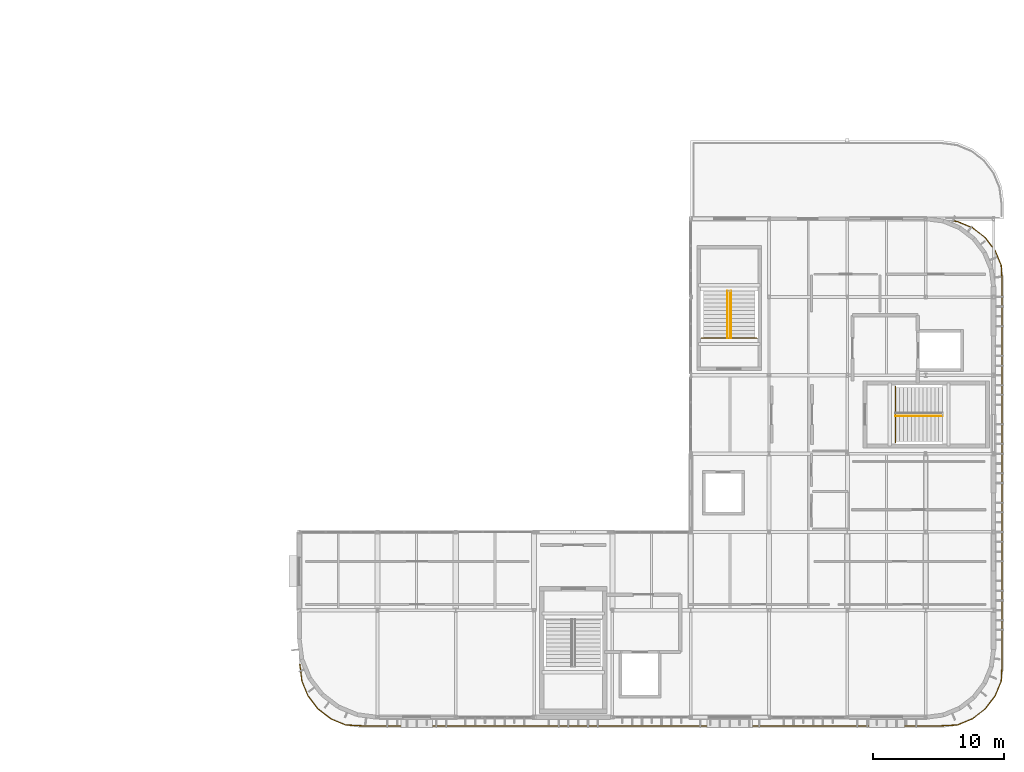
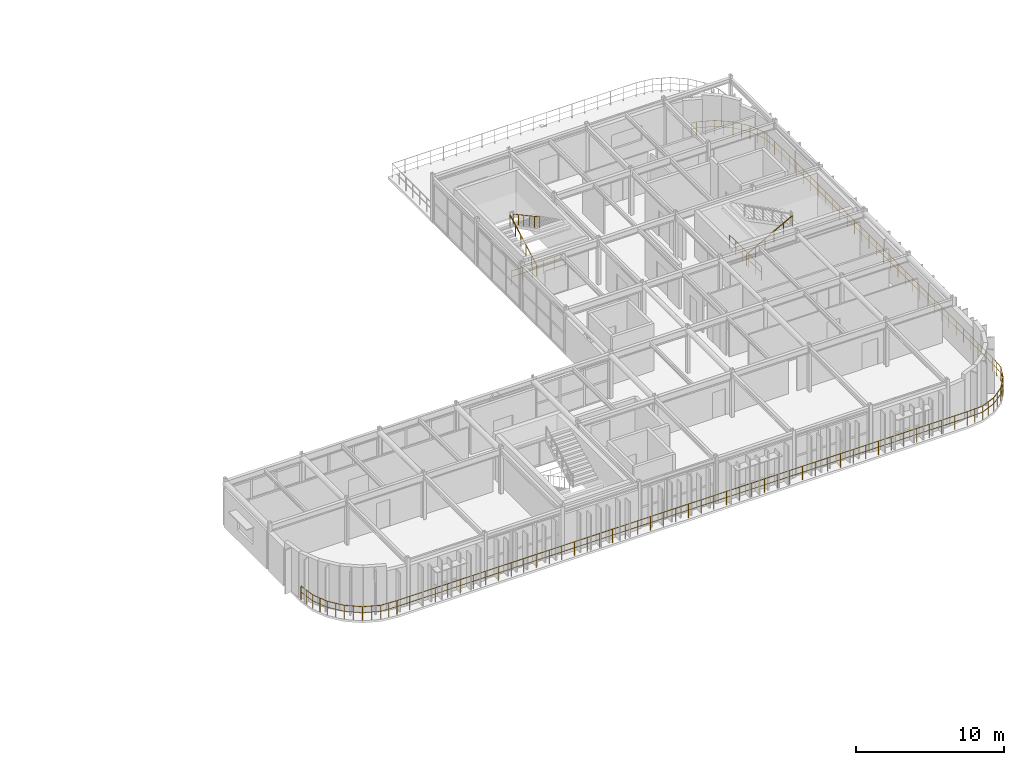
# One storey, part 26 of 27: 6 railings.
"""IFC4 building model written with IfcOpenShell, lengths in metres."""

from ifc_helpers import new_model, si_unit, direction, frame, origin, origin_2d, place, context, subcontext, project, spatial, circle, extrude, material, type_object, element, save


model = new_model("IFC4")

# Units and contexts
model_context = context("Model", 3, precision=1e-05, world=origin(), true_north=direction((0.0, 1.0)))
body_context = subcontext(model_context, "Body", "Model", "MODEL_VIEW")
ifc_project = project(units=[si_unit("LENGTHUNIT", "METRE"), si_unit("AREAUNIT", "SQUARE_METRE"), si_unit("VOLUMEUNIT", "CUBIC_METRE"), si_unit("PLANEANGLEUNIT", "RADIAN"), si_unit("MASSUNIT", "GRAM", prefix="KILO")], contexts=[model_context])

# Site, building, storey
site_placement = place(None, origin())
site = spatial("IfcSite", under=ifc_project, at=site_placement, CompositionType="ELEMENT")
building_placement = place(site_placement, origin())
building = spatial("IfcBuilding", under=site, at=building_placement, Name="Varnakota Square Police Headquarters", CompositionType="ELEMENT")
storey_placement = place(building_placement, frame((0.0, 0.0, 26.10009765625)))
storey = spatial("IfcBuildingStorey", under=building, at=storey_placement, Name="L06", CompositionType="ELEMENT", Elevation=26.10009765625)

# Railings
ifc_material_1 = material(Name="Galvanised Powder-Coated Steel Guardrail", Category="steel")
railing_type_1 = type_object("IfcRailingType", Name="RL-BAL-1150", PredefinedType="BALUSTRADE", material=ifc_material_1)
railing_1_placement = place(storey_placement, frame((158.076171875, 38.834228515625, 0.0)))
element("IfcRailing", 1, at=railing_1_placement, inside=storey, type_object=railing_type_1, Name="Perimeter edge safety guard GD-AUTO-L06-093", PredefinedType="BALUSTRADE", context=body_context, shape_type="SweptSolid", body=[
    extrude(circle(Radius=0.02392578125, at=origin_2d()), frame((0.0, 0.0, 1.1259765625), z_axis=(0.991388830753, -0.130951083454, 0.0), x_axis=(0.130951083454, 0.991388830753, 0.0)), (0.0, 0.0, 1.0), 0.356201171875),
    extrude(circle(Radius=0.01806640625, at=origin_2d()), frame((0.0, 0.0, 0.63232421875), z_axis=(0.991388830753, -0.130951083454, 0.0), x_axis=(0.130951083454, 0.991388830753, 0.0)), (0.0, 0.0, 1.0), 0.356201171875),
    extrude(circle(Radius=0.02392578125, at=origin_2d()), frame((0.35302734375, -0.046630859375, 1.1259765625), z_axis=(0.92391364461, -0.38260106809, 0.0), x_axis=(0.38260106809, 0.92391364461, 0.0)), (0.0, 0.0, 1.0), 1.23974609375),
    extrude(circle(Radius=0.01806640625, at=origin_2d()), frame((0.35302734375, -0.046630859375, 0.63232421875), z_axis=(0.92391364461, -0.38260106809, 0.0), x_axis=(0.38260106809, 0.92391364461, 0.0)), (0.0, 0.0, 1.0), 1.23974609375),
    extrude(circle(Radius=0.02392578125, at=origin_2d()), frame((1.49853515625, -0.52099609375, 1.1259765625), z_axis=(0.793311537696, -0.608815903339, 0.0), x_axis=(0.608815903339, 0.793311537696, 0.0)), (0.0, 0.0, 1.0), 1.239990234375),
    extrude(circle(Radius=0.01806640625, at=origin_2d()), frame((1.49853515625, -0.52099609375, 0.63232421875), z_axis=(0.793311537696, -0.608815903339, 0.0), x_axis=(0.608815903339, 0.793311537696, 0.0)), (0.0, 0.0, 1.0), 1.239990234375),
    extrude(circle(Radius=0.02392578125, at=origin_2d()), frame((2.482177734375, -1.27587890625, 1.1259765625), z_axis=(0.608815903339, -0.793311537696, 0.0), x_axis=(0.793311537696, 0.608815903339, 0.0)), (0.0, 0.0, 1.0), 1.239990234375),
    extrude(circle(Radius=0.01806640625, at=origin_2d()), frame((2.482177734375, -1.27587890625, 0.63232421875), z_axis=(0.608815903339, -0.793311537696, 0.0), x_axis=(0.793311537696, 0.608815903339, 0.0)), (0.0, 0.0, 1.0), 1.239990234375),
    extrude(circle(Radius=0.02392578125, at=origin_2d()), frame((3.237060546875, -2.259521484375, 1.1259765625), z_axis=(0.38260106809, -0.92391364461, 0.0), x_axis=(0.92391364461, 0.38260106809, 0.0)), (0.0, 0.0, 1.0), 1.23974609375),
    extrude(circle(Radius=0.01806640625, at=origin_2d()), frame((3.237060546875, -2.259521484375, 0.63232421875), z_axis=(0.38260106809, -0.92391364461, 0.0), x_axis=(0.92391364461, 0.38260106809, 0.0)), (0.0, 0.0, 1.0), 1.23974609375),
    extrude(circle(Radius=0.02392578125, at=origin_2d()), frame((3.71142578125, -3.405029296875, 1.1259765625), z_axis=(0.05064806659, -0.99871656307, 0.0), x_axis=(0.99871656307, 0.05064806659, 0.0)), (0.0, 0.0, 1.0), 1.23388671875),
    extrude(circle(Radius=0.01806640625, at=origin_2d()), frame((3.71142578125, -3.405029296875, 0.63232421875), z_axis=(0.05064806659, -0.99871656307, 0.0), x_axis=(0.99871656307, 0.05064806659, 0.0)), (0.0, 0.0, 1.0), 1.23388671875),
    extrude(circle(Radius=0.02392578125, at=origin_2d()), frame((3.77392578125, -4.637451171875, 1.1259765625), z_axis=(0.0, -1.0, 0.0), x_axis=(1.0, 0.0, 0.0)), (0.0, 0.0, 1.0), 29.3935546875),
    extrude(circle(Radius=0.01806640625, at=origin_2d()), frame((3.77392578125, -4.637451171875, 0.63232421875), z_axis=(0.0, -1.0, 0.0), x_axis=(1.0, 0.0, 0.0)), (0.0, 0.0, 1.0), 29.3935546875),
    extrude(circle(Radius=0.02392578125, at=origin_2d()), frame((3.77392578125, -34.031005859375, 1.1259765625), z_axis=(-0.05064806659, -0.99871656307, 0.0), x_axis=(0.99871656307, -0.05064806659, 0.0)), (0.0, 0.0, 1.0), 1.23388671875),
    extrude(circle(Radius=0.01806640625, at=origin_2d()), frame((3.77392578125, -34.031005859375, 0.63232421875), z_axis=(-0.05064806659, -0.99871656307, 0.0), x_axis=(0.99871656307, -0.05064806659, 0.0)), (0.0, 0.0, 1.0), 1.23388671875),
    extrude(circle(Radius=0.02392578125, at=origin_2d()), frame((3.71142578125, -35.263427734375, 1.1259765625), z_axis=(-0.38260106809, -0.92391364461, 0.0), x_axis=(0.92391364461, -0.38260106809, 0.0)), (0.0, 0.0, 1.0), 1.23974609375),
    extrude(circle(Radius=0.01806640625, at=origin_2d()), frame((3.71142578125, -35.263427734375, 0.63232421875), z_axis=(-0.38260106809, -0.92391364461, 0.0), x_axis=(0.92391364461, -0.38260106809, 0.0)), (0.0, 0.0, 1.0), 1.23974609375),
    extrude(circle(Radius=0.02392578125, at=origin_2d()), frame((3.237060546875, -36.408935546875, 1.1259765625), z_axis=(-0.608815903339, -0.793311537696, 0.0), x_axis=(0.793311537696, -0.608815903339, 0.0)), (0.0, 0.0, 1.0), 1.239990234375),
    extrude(circle(Radius=0.01806640625, at=origin_2d()), frame((3.237060546875, -36.408935546875, 0.63232421875), z_axis=(-0.608815903339, -0.793311537696, 0.0), x_axis=(0.793311537696, -0.608815903339, 0.0)), (0.0, 0.0, 1.0), 1.239990234375),
    extrude(circle(Radius=0.02392578125, at=origin_2d()), frame((2.482177734375, -37.392578125, 1.1259765625), z_axis=(-0.793311537696, -0.608815903339, 0.0), x_axis=(0.608815903339, -0.793311537696, 0.0)), (0.0, 0.0, 1.0), 1.239990234375),
    extrude(circle(Radius=0.01806640625, at=origin_2d()), frame((2.482177734375, -37.392578125, 0.63232421875), z_axis=(-0.793311537696, -0.608815903339, 0.0), x_axis=(0.608815903339, -0.793311537696, 0.0)), (0.0, 0.0, 1.0), 1.239990234375),
    extrude(circle(Radius=0.02392578125, at=origin_2d()), frame((1.49853515625, -38.1474609375, 1.1259765625), z_axis=(-0.92391364461, -0.38260106809, 0.0), x_axis=(0.38260106809, -0.92391364461, 0.0)), (0.0, 0.0, 1.0), 1.23974609375),
    extrude(circle(Radius=0.01806640625, at=origin_2d()), frame((1.49853515625, -38.1474609375, 0.63232421875), z_axis=(-0.92391364461, -0.38260106809, 0.0), x_axis=(0.38260106809, -0.92391364461, 0.0)), (0.0, 0.0, 1.0), 1.23974609375),
    extrude(circle(Radius=0.02392578125, at=origin_2d()), frame((0.35302734375, -38.621826171875, 1.1259765625), z_axis=(-0.99871656307, -0.05064806659, 0.0), x_axis=(0.05064806659, -0.99871656307, 0.0)), (0.0, 0.0, 1.0), 1.23388671875),
    extrude(circle(Radius=0.01806640625, at=origin_2d()), frame((0.35302734375, -38.621826171875, 0.63232421875), z_axis=(-0.99871656307, -0.05064806659, 0.0), x_axis=(0.05064806659, -0.99871656307, 0.0)), (0.0, 0.0, 1.0), 1.23388671875),
    extrude(circle(Radius=0.02392578125, at=origin_2d()), frame((-0.87939453125, -38.684326171875, 1.1259765625), z_axis=(-1.0, 0.0, 0.0), x_axis=(0.0, -1.0, 0.0)), (0.0, 0.0, 1.0), 44.3935546875),
    extrude(circle(Radius=0.01806640625, at=origin_2d()), frame((-0.87939453125, -38.684326171875, 0.63232421875), z_axis=(-1.0, 0.0, 0.0), x_axis=(0.0, -1.0, 0.0)), (0.0, 0.0, 1.0), 44.3935546875),
    extrude(circle(Radius=0.02392578125, at=origin_2d()), frame((-45.27294921875, -38.684326171875, 1.1259765625), z_axis=(-0.99871656307, 0.05064806659, 0.0), x_axis=(-0.05064806659, -0.99871656307, 0.0)), (0.0, 0.0, 1.0), 1.23388671875),
    extrude(circle(Radius=0.01806640625, at=origin_2d()), frame((-45.27294921875, -38.684326171875, 0.63232421875), z_axis=(-0.99871656307, 0.05064806659, 0.0), x_axis=(-0.05064806659, -0.99871656307, 0.0)), (0.0, 0.0, 1.0), 1.23388671875),
    extrude(circle(Radius=0.02392578125, at=origin_2d()), frame((-46.50537109375, -38.621826171875, 1.1259765625), z_axis=(-0.92391364461, 0.38260106809, 0.0), x_axis=(-0.38260106809, -0.92391364461, 0.0)), (0.0, 0.0, 1.0), 1.23974609375),
    extrude(circle(Radius=0.01806640625, at=origin_2d()), frame((-46.50537109375, -38.621826171875, 0.63232421875), z_axis=(-0.92391364461, 0.38260106809, 0.0), x_axis=(-0.38260106809, -0.92391364461, 0.0)), (0.0, 0.0, 1.0), 1.23974609375),
    extrude(circle(Radius=0.02392578125, at=origin_2d()), frame((-47.65087890625, -38.1474609375, 1.1259765625), z_axis=(-0.793311537696, 0.608815903339, 0.0), x_axis=(-0.608815903339, -0.793311537696, 0.0)), (0.0, 0.0, 1.0), 1.239990234375),
    extrude(circle(Radius=0.01806640625, at=origin_2d()), frame((-47.65087890625, -38.1474609375, 0.63232421875), z_axis=(-0.793311537696, 0.608815903339, 0.0), x_axis=(-0.608815903339, -0.793311537696, 0.0)), (0.0, 0.0, 1.0), 1.239990234375),
    extrude(circle(Radius=0.02392578125, at=origin_2d()), frame((-48.634521484375, -37.392578125, 1.1259765625), z_axis=(-0.608815903339, 0.793311537696, 0.0), x_axis=(-0.793311537696, -0.608815903339, 0.0)), (0.0, 0.0, 1.0), 1.239990234375),
    extrude(circle(Radius=0.01806640625, at=origin_2d()), frame((-48.634521484375, -37.392578125, 0.63232421875), z_axis=(-0.608815903339, 0.793311537696, 0.0), x_axis=(-0.793311537696, -0.608815903339, 0.0)), (0.0, 0.0, 1.0), 1.239990234375),
    extrude(circle(Radius=0.02392578125, at=origin_2d()), frame((-49.389404296875, -36.408935546875, 1.1259765625), z_axis=(-0.38260106809, 0.92391364461, 0.0), x_axis=(-0.92391364461, -0.38260106809, 0.0)), (0.0, 0.0, 1.0), 1.23974609375),
    extrude(circle(Radius=0.01806640625, at=origin_2d()), frame((-49.389404296875, -36.408935546875, 0.63232421875), z_axis=(-0.38260106809, 0.92391364461, 0.0), x_axis=(-0.92391364461, -0.38260106809, 0.0)), (0.0, 0.0, 1.0), 1.23974609375),
    extrude(circle(Radius=0.02392578125, at=origin_2d()), frame((-49.86376953125, -35.263427734375, 1.1259765625), z_axis=(-0.124750448097, 0.992188150352, 0.0), x_axis=(-0.992188150352, -0.124750448097, 0.0)), (0.0, 0.0, 1.0), 1.301513671875),
    extrude(circle(Radius=0.01806640625, at=origin_2d()), frame((-49.86376953125, -35.263427734375, 0.63232421875), z_axis=(-0.124750448097, 0.992188150352, 0.0), x_axis=(-0.992188150352, -0.124750448097, 0.0)), (0.0, 0.0, 1.0), 1.301513671875),
    extrude(circle(Radius=0.02099609375, at=origin_2d()), origin(), (0.0, 0.0, 1.0), 1.101806640625),
    extrude(circle(Radius=0.02099609375, at=origin_2d()), frame((0.35302734375, -0.046630859375, 0.0)), (0.0, 0.0, 1.0), 1.101806640625),
    extrude(circle(Radius=0.02099609375, at=origin_2d()), frame((0.92578125, -0.28369140625, 0.0)), (0.0, 0.0, 1.0), 1.101806640625),
    extrude(circle(Radius=0.02099609375, at=origin_2d()), frame((1.49853515625, -0.52099609375, 0.0)), (0.0, 0.0, 1.0), 1.101806640625),
    extrude(circle(Radius=0.02099609375, at=origin_2d()), frame((1.990234375, -0.8984375, 0.0)), (0.0, 0.0, 1.0), 1.101806640625),
    extrude(circle(Radius=0.02099609375, at=origin_2d()), frame((2.482177734375, -1.27587890625, 0.0)), (0.0, 0.0, 1.0), 1.101806640625),
    extrude(circle(Radius=0.02099609375, at=origin_2d()), frame((2.859619140625, -1.767578125, 0.0)), (0.0, 0.0, 1.0), 1.101806640625),
    extrude(circle(Radius=0.02099609375, at=origin_2d()), frame((3.237060546875, -2.259521484375, 0.0)), (0.0, 0.0, 1.0), 1.101806640625),
    extrude(circle(Radius=0.02099609375, at=origin_2d()), frame((3.47412109375, -2.832275390625, 0.0)), (0.0, 0.0, 1.0), 1.101806640625),
    extrude(circle(Radius=0.02099609375, at=origin_2d()), frame((3.71142578125, -3.405029296875, 0.0)), (0.0, 0.0, 1.0), 1.101806640625),
    extrude(circle(Radius=0.02099609375, at=origin_2d()), frame((3.74267578125, -4.021240234375, 0.0)), (0.0, 0.0, 1.0), 1.101806640625),
    extrude(circle(Radius=0.02099609375, at=origin_2d()), frame((3.77392578125, -4.637451171875, 0.0)), (0.0, 0.0, 1.0), 1.101806640625),
    extrude(circle(Radius=0.02099609375, at=origin_2d()), frame((3.77392578125, -5.6171875, 0.0)), (0.0, 0.0, 1.0), 1.101806640625),
    extrude(circle(Radius=0.02099609375, at=origin_2d()), frame((3.77392578125, -6.596923828125, 0.0)), (0.0, 0.0, 1.0), 1.101806640625),
    extrude(circle(Radius=0.02099609375, at=origin_2d()), frame((3.77392578125, -7.576904296875, 0.0)), (0.0, 0.0, 1.0), 1.101806640625),
    extrude(circle(Radius=0.02099609375, at=origin_2d()), frame((3.77392578125, -8.556640625, 0.0)), (0.0, 0.0, 1.0), 1.101806640625),
    extrude(circle(Radius=0.02099609375, at=origin_2d()), frame((3.77392578125, -9.536376953125, 0.0)), (0.0, 0.0, 1.0), 1.101806640625),
    extrude(circle(Radius=0.02099609375, at=origin_2d()), frame((3.77392578125, -10.51611328125, 0.0)), (0.0, 0.0, 1.0), 1.101806640625),
    extrude(circle(Radius=0.02099609375, at=origin_2d()), frame((3.77392578125, -11.495849609375, 0.0)), (0.0, 0.0, 1.0), 1.101806640625),
    extrude(circle(Radius=0.02099609375, at=origin_2d()), frame((3.77392578125, -12.475830078125, 0.0)), (0.0, 0.0, 1.0), 1.101806640625),
    extrude(circle(Radius=0.02099609375, at=origin_2d()), frame((3.77392578125, -13.45556640625, 0.0)), (0.0, 0.0, 1.0), 1.101806640625),
    extrude(circle(Radius=0.02099609375, at=origin_2d()), frame((3.77392578125, -14.435302734375, 0.0)), (0.0, 0.0, 1.0), 1.101806640625),
    extrude(circle(Radius=0.02099609375, at=origin_2d()), frame((3.77392578125, -15.4150390625, 0.0)), (0.0, 0.0, 1.0), 1.101806640625),
    extrude(circle(Radius=0.02099609375, at=origin_2d()), frame((3.77392578125, -16.394775390625, 0.0)), (0.0, 0.0, 1.0), 1.101806640625),
    extrude(circle(Radius=0.02099609375, at=origin_2d()), frame((3.77392578125, -17.374755859375, 0.0)), (0.0, 0.0, 1.0), 1.101806640625),
    extrude(circle(Radius=0.02099609375, at=origin_2d()), frame((3.77392578125, -18.3544921875, 0.0)), (0.0, 0.0, 1.0), 1.101806640625),
    extrude(circle(Radius=0.02099609375, at=origin_2d()), frame((3.77392578125, -19.334228515625, 0.0)), (0.0, 0.0, 1.0), 1.101806640625),
    extrude(circle(Radius=0.02099609375, at=origin_2d()), frame((3.77392578125, -20.31396484375, 0.0)), (0.0, 0.0, 1.0), 1.101806640625),
    extrude(circle(Radius=0.02099609375, at=origin_2d()), frame((3.77392578125, -21.293701171875, 0.0)), (0.0, 0.0, 1.0), 1.101806640625),
    extrude(circle(Radius=0.02099609375, at=origin_2d()), frame((3.77392578125, -22.273681640625, 0.0)), (0.0, 0.0, 1.0), 1.101806640625),
    extrude(circle(Radius=0.02099609375, at=origin_2d()), frame((3.77392578125, -23.25341796875, 0.0)), (0.0, 0.0, 1.0), 1.101806640625),
    extrude(circle(Radius=0.02099609375, at=origin_2d()), frame((3.77392578125, -24.233154296875, 0.0)), (0.0, 0.0, 1.0), 1.101806640625),
    extrude(circle(Radius=0.02099609375, at=origin_2d()), frame((3.77392578125, -25.212890625, 0.0)), (0.0, 0.0, 1.0), 1.101806640625),
    extrude(circle(Radius=0.02099609375, at=origin_2d()), frame((3.77392578125, -26.192626953125, 0.0)), (0.0, 0.0, 1.0), 1.101806640625),
    extrude(circle(Radius=0.02099609375, at=origin_2d()), frame((3.77392578125, -27.172607421875, 0.0)), (0.0, 0.0, 1.0), 1.101806640625),
    extrude(circle(Radius=0.02099609375, at=origin_2d()), frame((3.77392578125, -28.15234375, 0.0)), (0.0, 0.0, 1.0), 1.101806640625),
    extrude(circle(Radius=0.02099609375, at=origin_2d()), frame((3.77392578125, -29.132080078125, 0.0)), (0.0, 0.0, 1.0), 1.101806640625),
    extrude(circle(Radius=0.02099609375, at=origin_2d()), frame((3.77392578125, -30.11181640625, 0.0)), (0.0, 0.0, 1.0), 1.101806640625),
    extrude(circle(Radius=0.02099609375, at=origin_2d()), frame((3.77392578125, -31.091552734375, 0.0)), (0.0, 0.0, 1.0), 1.101806640625),
    extrude(circle(Radius=0.02099609375, at=origin_2d()), frame((3.77392578125, -32.071533203125, 0.0)), (0.0, 0.0, 1.0), 1.101806640625),
    extrude(circle(Radius=0.02099609375, at=origin_2d()), frame((3.77392578125, -33.05126953125, 0.0)), (0.0, 0.0, 1.0), 1.101806640625),
    extrude(circle(Radius=0.02099609375, at=origin_2d()), frame((3.77392578125, -34.031005859375, 0.0)), (0.0, 0.0, 1.0), 1.101806640625),
    extrude(circle(Radius=0.02099609375, at=origin_2d()), frame((3.74267578125, -34.647216796875, 0.0)), (0.0, 0.0, 1.0), 1.101806640625),
    extrude(circle(Radius=0.02099609375, at=origin_2d()), frame((3.71142578125, -35.263427734375, 0.0)), (0.0, 0.0, 1.0), 1.101806640625),
    extrude(circle(Radius=0.02099609375, at=origin_2d()), frame((3.47412109375, -35.836181640625, 0.0)), (0.0, 0.0, 1.0), 1.101806640625),
    extrude(circle(Radius=0.02099609375, at=origin_2d()), frame((3.237060546875, -36.408935546875, 0.0)), (0.0, 0.0, 1.0), 1.101806640625),
    extrude(circle(Radius=0.02099609375, at=origin_2d()), frame((2.859619140625, -36.90087890625, 0.0)), (0.0, 0.0, 1.0), 1.101806640625),
    extrude(circle(Radius=0.02099609375, at=origin_2d()), frame((2.482177734375, -37.392578125, 0.0)), (0.0, 0.0, 1.0), 1.101806640625),
    extrude(circle(Radius=0.02099609375, at=origin_2d()), frame((1.990234375, -37.77001953125, 0.0)), (0.0, 0.0, 1.0), 1.101806640625),
    extrude(circle(Radius=0.02099609375, at=origin_2d()), frame((1.49853515625, -38.1474609375, 0.0)), (0.0, 0.0, 1.0), 1.101806640625),
    extrude(circle(Radius=0.02099609375, at=origin_2d()), frame((0.92578125, -38.384765625, 0.0)), (0.0, 0.0, 1.0), 1.101806640625),
    extrude(circle(Radius=0.02099609375, at=origin_2d()), frame((0.35302734375, -38.621826171875, 0.0)), (0.0, 0.0, 1.0), 1.101806640625),
    extrude(circle(Radius=0.02099609375, at=origin_2d()), frame((-0.26318359375, -38.653076171875, 0.0)), (0.0, 0.0, 1.0), 1.101806640625),
    extrude(circle(Radius=0.02099609375, at=origin_2d()), frame((-0.87939453125, -38.684326171875, 0.0)), (0.0, 0.0, 1.0), 1.101806640625),
    extrude(circle(Radius=0.02099609375, at=origin_2d()), frame((-1.865966796875, -38.684326171875, 0.0)), (0.0, 0.0, 1.0), 1.101806640625),
    extrude(circle(Radius=0.02099609375, at=origin_2d()), frame((-2.8525390625, -38.684326171875, 0.0)), (0.0, 0.0, 1.0), 1.101806640625),
    extrude(circle(Radius=0.02099609375, at=origin_2d()), frame((-3.8388671875, -38.684326171875, 0.0)), (0.0, 0.0, 1.0), 1.101806640625),
    extrude(circle(Radius=0.02099609375, at=origin_2d()), frame((-4.825439453125, -38.684326171875, 0.0)), (0.0, 0.0, 1.0), 1.101806640625),
    extrude(circle(Radius=0.02099609375, at=origin_2d()), frame((-5.81201171875, -38.684326171875, 0.0)), (0.0, 0.0, 1.0), 1.101806640625),
    extrude(circle(Radius=0.02099609375, at=origin_2d()), frame((-6.798583984375, -38.684326171875, 0.0)), (0.0, 0.0, 1.0), 1.101806640625),
    extrude(circle(Radius=0.02099609375, at=origin_2d()), frame((-7.78515625, -38.684326171875, 0.0)), (0.0, 0.0, 1.0), 1.101806640625),
    extrude(circle(Radius=0.02099609375, at=origin_2d()), frame((-8.771484375, -38.684326171875, 0.0)), (0.0, 0.0, 1.0), 1.101806640625),
    extrude(circle(Radius=0.02099609375, at=origin_2d()), frame((-9.758056640625, -38.684326171875, 0.0)), (0.0, 0.0, 1.0), 1.101806640625),
    extrude(circle(Radius=0.02099609375, at=origin_2d()), frame((-10.74462890625, -38.684326171875, 0.0)), (0.0, 0.0, 1.0), 1.101806640625),
    extrude(circle(Radius=0.02099609375, at=origin_2d()), frame((-11.731201171875, -38.684326171875, 0.0)), (0.0, 0.0, 1.0), 1.101806640625),
    extrude(circle(Radius=0.02099609375, at=origin_2d()), frame((-12.7177734375, -38.684326171875, 0.0)), (0.0, 0.0, 1.0), 1.101806640625),
    extrude(circle(Radius=0.02099609375, at=origin_2d()), frame((-13.7041015625, -38.684326171875, 0.0)), (0.0, 0.0, 1.0), 1.101806640625),
    extrude(circle(Radius=0.02099609375, at=origin_2d()), frame((-14.690673828125, -38.684326171875, 0.0)), (0.0, 0.0, 1.0), 1.101806640625),
    extrude(circle(Radius=0.02099609375, at=origin_2d()), frame((-15.67724609375, -38.684326171875, 0.0)), (0.0, 0.0, 1.0), 1.101806640625),
    extrude(circle(Radius=0.02099609375, at=origin_2d()), frame((-16.663818359375, -38.684326171875, 0.0)), (0.0, 0.0, 1.0), 1.101806640625),
    extrude(circle(Radius=0.02099609375, at=origin_2d()), frame((-17.650390625, -38.684326171875, 0.0)), (0.0, 0.0, 1.0), 1.101806640625),
    extrude(circle(Radius=0.02099609375, at=origin_2d()), frame((-18.63671875, -38.684326171875, 0.0)), (0.0, 0.0, 1.0), 1.101806640625),
    extrude(circle(Radius=0.02099609375, at=origin_2d()), frame((-19.623291015625, -38.684326171875, 0.0)), (0.0, 0.0, 1.0), 1.101806640625),
    extrude(circle(Radius=0.02099609375, at=origin_2d()), frame((-20.60986328125, -38.684326171875, 0.0)), (0.0, 0.0, 1.0), 1.101806640625),
    extrude(circle(Radius=0.02099609375, at=origin_2d()), frame((-21.596435546875, -38.684326171875, 0.0)), (0.0, 0.0, 1.0), 1.101806640625),
    extrude(circle(Radius=0.02099609375, at=origin_2d()), frame((-22.5830078125, -38.684326171875, 0.0)), (0.0, 0.0, 1.0), 1.101806640625),
    extrude(circle(Radius=0.02099609375, at=origin_2d()), frame((-23.5693359375, -38.684326171875, 0.0)), (0.0, 0.0, 1.0), 1.101806640625),
    extrude(circle(Radius=0.02099609375, at=origin_2d()), frame((-24.555908203125, -38.684326171875, 0.0)), (0.0, 0.0, 1.0), 1.101806640625),
    extrude(circle(Radius=0.02099609375, at=origin_2d()), frame((-25.54248046875, -38.684326171875, 0.0)), (0.0, 0.0, 1.0), 1.101806640625),
    extrude(circle(Radius=0.02099609375, at=origin_2d()), frame((-26.529052734375, -38.684326171875, 0.0)), (0.0, 0.0, 1.0), 1.101806640625),
    extrude(circle(Radius=0.02099609375, at=origin_2d()), frame((-27.515625, -38.684326171875, 0.0)), (0.0, 0.0, 1.0), 1.101806640625),
    extrude(circle(Radius=0.02099609375, at=origin_2d()), frame((-28.501953125, -38.684326171875, 0.0)), (0.0, 0.0, 1.0), 1.101806640625),
    extrude(circle(Radius=0.02099609375, at=origin_2d()), frame((-29.488525390625, -38.684326171875, 0.0)), (0.0, 0.0, 1.0), 1.101806640625),
    extrude(circle(Radius=0.02099609375, at=origin_2d()), frame((-30.47509765625, -38.684326171875, 0.0)), (0.0, 0.0, 1.0), 1.101806640625),
    extrude(circle(Radius=0.02099609375, at=origin_2d()), frame((-31.461669921875, -38.684326171875, 0.0)), (0.0, 0.0, 1.0), 1.101806640625),
    extrude(circle(Radius=0.02099609375, at=origin_2d()), frame((-32.4482421875, -38.684326171875, 0.0)), (0.0, 0.0, 1.0), 1.101806640625),
    extrude(circle(Radius=0.02099609375, at=origin_2d()), frame((-33.4345703125, -38.684326171875, 0.0)), (0.0, 0.0, 1.0), 1.101806640625),
    extrude(circle(Radius=0.02099609375, at=origin_2d()), frame((-34.421142578125, -38.684326171875, 0.0)), (0.0, 0.0, 1.0), 1.101806640625),
    extrude(circle(Radius=0.02099609375, at=origin_2d()), frame((-35.40771484375, -38.684326171875, 0.0)), (0.0, 0.0, 1.0), 1.101806640625),
    extrude(circle(Radius=0.02099609375, at=origin_2d()), frame((-36.394287109375, -38.684326171875, 0.0)), (0.0, 0.0, 1.0), 1.101806640625),
    extrude(circle(Radius=0.02099609375, at=origin_2d()), frame((-37.380859375, -38.684326171875, 0.0)), (0.0, 0.0, 1.0), 1.101806640625),
    extrude(circle(Radius=0.02099609375, at=origin_2d()), frame((-38.3671875, -38.684326171875, 0.0)), (0.0, 0.0, 1.0), 1.101806640625),
    extrude(circle(Radius=0.02099609375, at=origin_2d()), frame((-39.353759765625, -38.684326171875, 0.0)), (0.0, 0.0, 1.0), 1.101806640625),
    extrude(circle(Radius=0.02099609375, at=origin_2d()), frame((-40.34033203125, -38.684326171875, 0.0)), (0.0, 0.0, 1.0), 1.101806640625),
    extrude(circle(Radius=0.02099609375, at=origin_2d()), frame((-41.326904296875, -38.684326171875, 0.0)), (0.0, 0.0, 1.0), 1.101806640625),
    extrude(circle(Radius=0.02099609375, at=origin_2d()), frame((-42.3134765625, -38.684326171875, 0.0)), (0.0, 0.0, 1.0), 1.101806640625),
    extrude(circle(Radius=0.02099609375, at=origin_2d()), frame((-43.2998046875, -38.684326171875, 0.0)), (0.0, 0.0, 1.0), 1.101806640625),
    extrude(circle(Radius=0.02099609375, at=origin_2d()), frame((-44.286376953125, -38.684326171875, 0.0)), (0.0, 0.0, 1.0), 1.101806640625),
    extrude(circle(Radius=0.02099609375, at=origin_2d()), frame((-45.27294921875, -38.684326171875, 0.0)), (0.0, 0.0, 1.0), 1.101806640625),
    extrude(circle(Radius=0.02099609375, at=origin_2d()), frame((-45.88916015625, -38.653076171875, 0.0)), (0.0, 0.0, 1.0), 1.101806640625),
    extrude(circle(Radius=0.02099609375, at=origin_2d()), frame((-46.50537109375, -38.621826171875, 0.0)), (0.0, 0.0, 1.0), 1.101806640625),
    extrude(circle(Radius=0.02099609375, at=origin_2d()), frame((-47.078125, -38.384765625, 0.0)), (0.0, 0.0, 1.0), 1.101806640625),
    extrude(circle(Radius=0.02099609375, at=origin_2d()), frame((-47.65087890625, -38.1474609375, 0.0)), (0.0, 0.0, 1.0), 1.101806640625),
    extrude(circle(Radius=0.02099609375, at=origin_2d()), frame((-48.142578125, -37.77001953125, 0.0)), (0.0, 0.0, 1.0), 1.101806640625),
    extrude(circle(Radius=0.02099609375, at=origin_2d()), frame((-48.634521484375, -37.392578125, 0.0)), (0.0, 0.0, 1.0), 1.101806640625),
    extrude(circle(Radius=0.02099609375, at=origin_2d()), frame((-49.011962890625, -36.90087890625, 0.0)), (0.0, 0.0, 1.0), 1.101806640625),
    extrude(circle(Radius=0.02099609375, at=origin_2d()), frame((-49.389404296875, -36.408935546875, 0.0)), (0.0, 0.0, 1.0), 1.101806640625),
    extrude(circle(Radius=0.02099609375, at=origin_2d()), frame((-49.62646484375, -35.836181640625, 0.0)), (0.0, 0.0, 1.0), 1.101806640625),
    extrude(circle(Radius=0.02099609375, at=origin_2d()), frame((-49.86376953125, -35.263427734375, 0.0)), (0.0, 0.0, 1.0), 1.101806640625),
    extrude(circle(Radius=0.02099609375, at=origin_2d()), frame((-49.94482421875, -34.61767578125, 0.0)), (0.0, 0.0, 1.0), 1.101806640625),
    extrude(circle(Radius=0.02099609375, at=origin_2d()), frame((-50.026123046875, -33.97216796875, 0.0)), (0.0, 0.0, 1.0), 1.101806640625),
])
ifc_material_2 = material(Name="Brushed Stainless Steel Tubular Handrail", Category="steel")
railing_type_2 = type_object("IfcRailingType", Name="RL-HND-920", PredefinedType="HANDRAIL", material=ifc_material_2)
railing_2_placement = place(storey_placement, frame((153.699951171875, 23.8798828125, 0.0)))
element("IfcRailing", 2, at=railing_2_placement, inside=storey, type_object=railing_type_2, Name="Stair flight handrail HR-L06-027", PredefinedType="HANDRAIL", context=body_context, shape_type="SweptSolid", body=[
    extrude(circle(Radius=0.02392578125, at=origin_2d()), frame((0.0, 0.0, 0.89599609375), z_axis=(0.879329418667, 0.0, 0.476213999654), x_axis=(0.0, 1.0, 0.0)), (0.0, 0.0, 1.0), 4.0947265625),
    extrude(circle(Radius=0.02099609375, at=origin_2d()), origin(), (0.0, 0.0, 1.0), 0.871826171875),
    extrude(circle(Radius=0.02099609375, at=origin_2d()), frame((0.72021484375, 0.0, 0.389892578125)), (0.0, 0.0, 1.0), 0.871826171875),
    extrude(circle(Radius=0.02099609375, at=origin_2d()), frame((1.440185546875, 0.0, 0.780029296875)), (0.0, 0.0, 1.0), 0.871826171875),
    extrude(circle(Radius=0.02099609375, at=origin_2d()), frame((2.160400390625, 0.0, 1.169921875)), (0.0, 0.0, 1.0), 0.871826171875),
    extrude(circle(Radius=0.02099609375, at=origin_2d()), frame((2.88037109375, 0.0, 1.56005859375)), (0.0, 0.0, 1.0), 0.871826171875),
    extrude(circle(Radius=0.02099609375, at=origin_2d()), frame((3.6005859375, 0.0, 1.949951171875)), (0.0, 0.0, 1.0), 0.871826171875),
])
railing_3_placement = place(storey_placement, frame((140.829833984375, 29.85009765625, 0.0)))
element("IfcRailing", 3, at=railing_3_placement, inside=storey, type_object=railing_type_2, Name="Stair flight handrail HR-L06-041", PredefinedType="HANDRAIL", context=body_context, shape_type="SweptSolid", body=[
    extrude(circle(Radius=0.02392578125, at=origin_2d()), frame((0.0, 0.0, 0.89599609375), z_axis=(0.0, 0.879329418667, 0.476213999654), x_axis=(-1.0, 0.0, 0.0)), (0.0, 0.0, 1.0), 4.0947265625),
    extrude(circle(Radius=0.02099609375, at=origin_2d()), origin(), (0.0, 0.0, 1.0), 0.871826171875),
    extrude(circle(Radius=0.02099609375, at=origin_2d()), frame((0.0, 0.72021484375, 0.389892578125)), (0.0, 0.0, 1.0), 0.871826171875),
    extrude(circle(Radius=0.02099609375, at=origin_2d()), frame((0.0, 1.440185546875, 0.780029296875)), (0.0, 0.0, 1.0), 0.871826171875),
    extrude(circle(Radius=0.02099609375, at=origin_2d()), frame((0.0, 2.160400390625, 1.169921875)), (0.0, 0.0, 1.0), 0.871826171875),
    extrude(circle(Radius=0.02099609375, at=origin_2d()), frame((0.0, 2.88037109375, 1.56005859375)), (0.0, 0.0, 1.0), 0.871826171875),
    extrude(circle(Radius=0.02099609375, at=origin_2d()), frame((0.0, 3.6005859375, 1.949951171875)), (0.0, 0.0, 1.0), 0.871826171875),
])
railing_4_placement = place(storey_placement, frame((141.070068359375, 33.45068359375, 1.949951171875)))
element("IfcRailing", 4, at=railing_4_placement, inside=storey, type_object=railing_type_2, Name="Stair flight handrail HR-L06-042", PredefinedType="HANDRAIL", context=body_context, shape_type="SweptSolid", body=[
    extrude(circle(Radius=0.02392578125, at=origin_2d()), frame((0.0, 0.0, 0.89599609375), z_axis=(0.0, -0.879329418667, 0.476213999654), x_axis=(1.0, 0.0, 0.0)), (0.0, 0.0, 1.0), 4.0947265625),
    extrude(circle(Radius=0.02099609375, at=origin_2d()), origin(), (0.0, 0.0, 1.0), 0.871826171875),
    extrude(circle(Radius=0.02099609375, at=origin_2d()), frame((0.0, -0.72021484375, 0.389892578125)), (0.0, 0.0, 1.0), 0.871826171875),
    extrude(circle(Radius=0.02099609375, at=origin_2d()), frame((0.0, -1.440185546875, 0.780029296875)), (0.0, 0.0, 1.0), 0.871826171875),
    extrude(circle(Radius=0.02099609375, at=origin_2d()), frame((0.0, -2.160400390625, 1.169921875)), (0.0, 0.0, 1.0), 0.871826171875),
    extrude(circle(Radius=0.02099609375, at=origin_2d()), frame((0.0, -2.88037109375, 1.56005859375)), (0.0, 0.0, 1.0), 0.871826171875),
    extrude(circle(Radius=0.02099609375, at=origin_2d()), frame((0.0, -3.6005859375, 1.949951171875)), (0.0, 0.0, 1.0), 0.871826171875),
])
ifc_material_3 = material(Name="Laminated Glass and Stainless Steel Balustrade", Category="steel")
railing_type_3 = type_object("IfcRailingType", Name="RL-INT-1150", PredefinedType="BALUSTRADE", material=ifc_material_3)
railing_5_placement = place(storey_placement, frame((153.699951171875, 21.840087890625, 0.0)))
element("IfcRailing", 5, at=railing_5_placement, inside=storey, type_object=railing_type_3, Name="Stair well safety guard C2 L06", PredefinedType="BALUSTRADE", context=body_context, shape_type="SweptSolid", body=[
    extrude(circle(Radius=0.02392578125, at=origin_2d()), frame((0.0, 0.0, 1.1259765625), z_axis=(0.0, 1.0, 0.0), x_axis=(-1.0, 0.0, 0.0)), (0.0, 0.0, 1.0), 4.31982421875),
    extrude(circle(Radius=0.01806640625, at=origin_2d()), frame((0.0, 0.0, 0.63232421875), z_axis=(0.0, 1.0, 0.0), x_axis=(-1.0, 0.0, 0.0)), (0.0, 0.0, 1.0), 4.31982421875),
    extrude(circle(Radius=0.02099609375, at=origin_2d()), origin(), (0.0, 0.0, 1.0), 1.101806640625),
    extrude(circle(Radius=0.02099609375, at=origin_2d()), frame((0.0, 0.864013671875, 0.0)), (0.0, 0.0, 1.0), 1.101806640625),
    extrude(circle(Radius=0.02099609375, at=origin_2d()), frame((0.0, 1.72802734375, 0.0)), (0.0, 0.0, 1.0), 1.101806640625),
    extrude(circle(Radius=0.02099609375, at=origin_2d()), frame((0.0, 2.591796875, 0.0)), (0.0, 0.0, 1.0), 1.101806640625),
    extrude(circle(Radius=0.02099609375, at=origin_2d()), frame((0.0, 3.455810546875, 0.0)), (0.0, 0.0, 1.0), 1.101806640625),
    extrude(circle(Radius=0.02099609375, at=origin_2d()), frame((0.0, 4.31982421875, 0.0)), (0.0, 0.0, 1.0), 1.101806640625),
])
railing_6_placement = place(storey_placement, frame((138.840087890625, 29.85009765625, 0.0)))
element("IfcRailing", 6, at=railing_6_placement, inside=storey, type_object=railing_type_3, Name="Stair well safety guard C3 L06", PredefinedType="BALUSTRADE", context=body_context, shape_type="SweptSolid", body=[
    extrude(circle(Radius=0.02392578125, at=origin_2d()), frame((0.0, 0.0, 1.1259765625), z_axis=(1.0, 0.0, 0.0), x_axis=(0.0, 1.0, 0.0)), (0.0, 0.0, 1.0), 4.219970703125),
    extrude(circle(Radius=0.01806640625, at=origin_2d()), frame((0.0, 0.0, 0.63232421875), z_axis=(1.0, 0.0, 0.0), x_axis=(0.0, 1.0, 0.0)), (0.0, 0.0, 1.0), 4.219970703125),
    extrude(circle(Radius=0.02099609375, at=origin_2d()), origin(), (0.0, 0.0, 1.0), 1.101806640625),
    extrude(circle(Radius=0.02099609375, at=origin_2d()), frame((0.843994140625, 0.0, 0.0)), (0.0, 0.0, 1.0), 1.101806640625),
    extrude(circle(Radius=0.02099609375, at=origin_2d()), frame((1.68798828125, 0.0, 0.0)), (0.0, 0.0, 1.0), 1.101806640625),
    extrude(circle(Radius=0.02099609375, at=origin_2d()), frame((2.531982421875, 0.0, 0.0)), (0.0, 0.0, 1.0), 1.101806640625),
    extrude(circle(Radius=0.02099609375, at=origin_2d()), frame((3.3759765625, 0.0, 0.0)), (0.0, 0.0, 1.0), 1.101806640625),
    extrude(circle(Radius=0.02099609375, at=origin_2d()), frame((4.219970703125, 0.0, 0.0)), (0.0, 0.0, 1.0), 1.101806640625),
])

save(model, "model.ifc")
